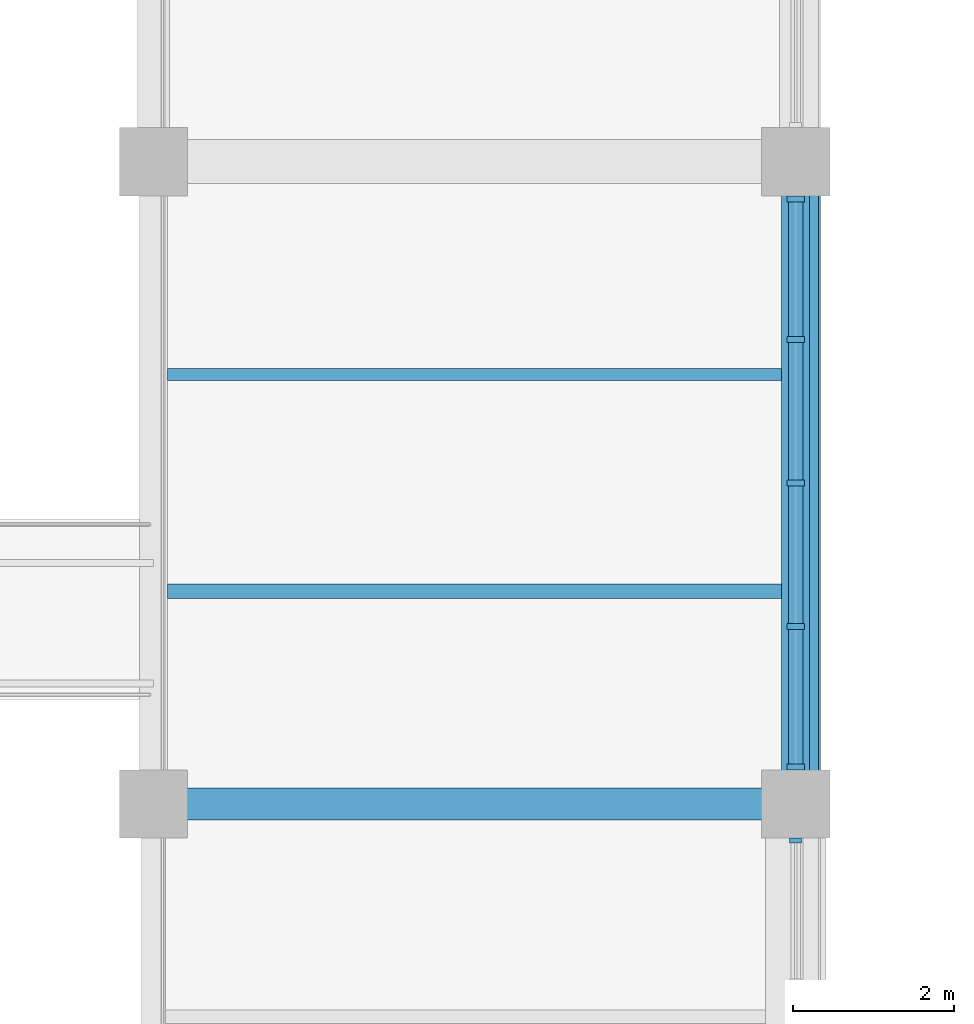
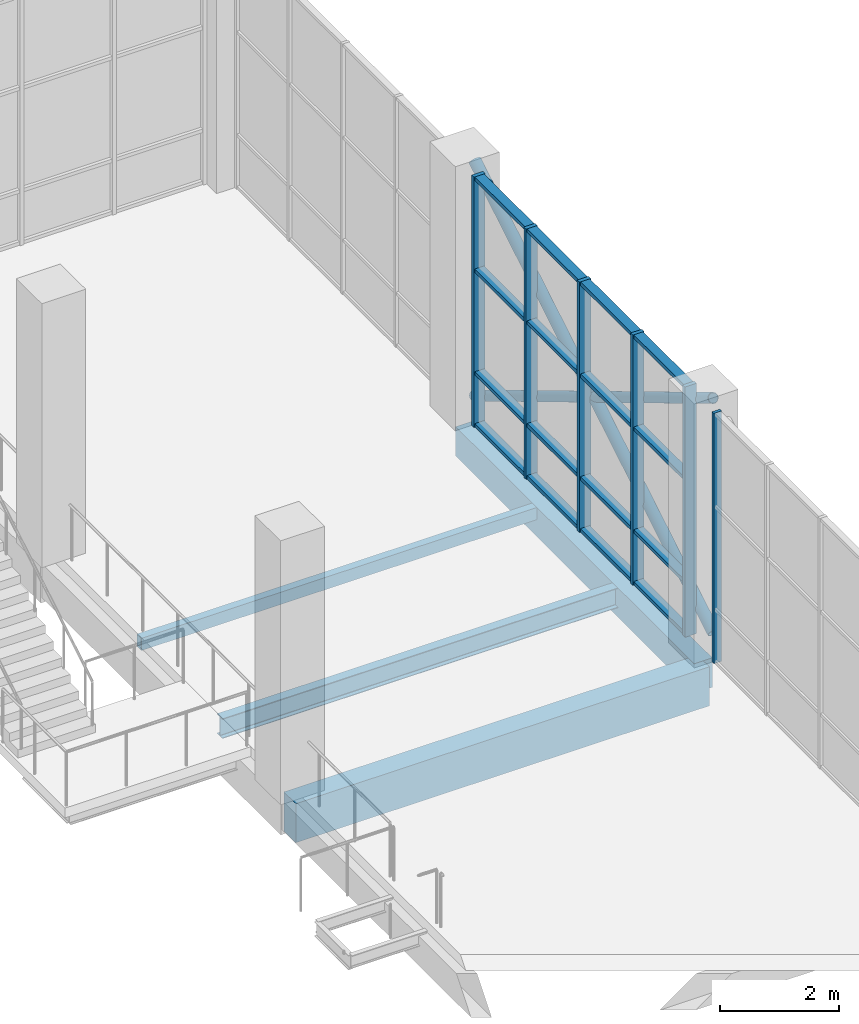
# One storey, part 56 of 122: 24 members, 4 beams, 2 elements without a shape of their own.
"""IFC4 building model written with IfcOpenShell, lengths in metres."""

from ifc_helpers import new_model, si_unit, direction, frame, origin, origin_2d, place, context, subcontext, project, spatial, rectangle, hollow_rectangle, hollow_circle, i_section, extrude, material, material_profile, profile_set, type_object, element, aggregate, save


model = new_model("IFC4")

# Units and contexts
model_context = context("Model", 3, precision=1e-05, world=origin(), true_north=direction((0.0, 1.0)))
body_context = subcontext(model_context, "Body", "Model", "MODEL_VIEW")
ifc_project = project(units=[si_unit("LENGTHUNIT", "METRE"), si_unit("AREAUNIT", "SQUARE_METRE"), si_unit("VOLUMEUNIT", "CUBIC_METRE"), si_unit("PLANEANGLEUNIT", "RADIAN"), si_unit("MASSUNIT", "GRAM", prefix="KILO")], contexts=[model_context])

# Site, building, storey
site_placement = place(None, origin())
site = spatial("IfcSite", under=ifc_project, at=site_placement, CompositionType="ELEMENT")
building_placement = place(site_placement, origin())
building = spatial("IfcBuilding", under=site, at=building_placement, Name="Tenunan Teduh Sports Hall", CompositionType="ELEMENT")
storey_placement = place(building_placement, frame((0.0, 0.0, 5.39990234375)))
storey = spatial("IfcBuildingStorey", under=building, at=storey_placement, Name="L01", CompositionType="ELEMENT", Elevation=5.39990234375)

# Beams
ifc_material_1 = material(Name="Concrete C40/50", Category="concrete")
ifc_material_profile_1 = material_profile(ifc_material_1, rectangle(XDim=0.35009765625, YDim=0.60009765625, at=origin_2d()), Name="RCB 350x600")
ifc_profile_set_1 = profile_set([ifc_material_profile_1], Name="Concrete C40/50")
beam_type_1 = type_object("IfcBeamType", Name="BM-RC-350x600", PredefinedType="BEAM", material=ifc_profile_set_1)
beam_1_placement = place(storey_placement, frame((154.0, 62.0, -0.559814453125), z_axis=(0.0, 1.0, 0.0), x_axis=(-1.0, 0.0, 0.0)))
element("IfcBeam", 1, at=beam_1_placement, inside=storey, type_object=beam_type_1, Name="BM-B-04-L01-1295", PredefinedType="BEAM", context=body_context, shape_type="SweptSolid", body=[
    extrude(rectangle(XDim=0.35009765625, YDim=0.60009765625, at=origin_2d()), origin(), (0.0, 0.0, 1.0), 8.0),
])
ifc_material_2 = material(Name="Concrete C40/50", Category="concrete")
ifc_material_profile_2 = material_profile(ifc_material_2, rectangle(XDim=0.39990234375, YDim=0.800048828125, at=origin_2d()), Name="RCB 400x800")
ifc_profile_set_2 = profile_set([ifc_material_profile_2], Name="Concrete C40/50")
beam_type_2 = type_object("IfcBeamType", Name="BM-RC-400x800", PredefinedType="BEAM", material=ifc_profile_set_2)
beam_2_placement = place(storey_placement, frame((146.0, 62.0, -0.659912109375), z_axis=(1.0, 0.0, 0.0), x_axis=(0.0, 1.0, 0.0)))
element("IfcBeam", 2, at=beam_2_placement, inside=storey, type_object=beam_type_2, Name="BM-B-10-L01-1093", PredefinedType="BEAM", context=body_context, shape_type="SweptSolid", body=[
    extrude(rectangle(XDim=0.39990234375, YDim=0.800048828125, at=origin_2d()), origin(), (0.0, 0.0, 1.0), 8.0),
])

# Curtain wall, member
ifc_material_3 = material(Name="Anodised aluminium", Category="aluminium")
curtain_wall_type = type_object("IfcCurtainWallType", Name="CW-UNIT-1", PredefinedType="NOTDEFINED", material=ifc_material_3)
curtain_wall_1_placement = place(storey_placement, origin())
curtain_wall_1 = element("IfcCurtainWall", 3, at=curtain_wall_1_placement, inside=storey, type_object=curtain_wall_type, Name="CW-CWM-150-L01-123", PredefinedType="NOTDEFINED")
ifc_material_4 = material(Name="Anodised aluminium", Category="aluminium")
ifc_material_profile_3 = material_profile(ifc_material_4, rectangle(XDim=0.06005859375, YDim=0.14990234375, at=origin_2d()), Name="CWM 60x150")
ifc_profile_set_3 = profile_set([ifc_material_profile_3], Name="Anodised aluminium")
member_type_1 = type_object("IfcMemberType", Name="CWM-150", PredefinedType="MULLION", material=ifc_profile_set_3)
member_1_placement = place(storey_placement, frame((154.0, 61.544921875, 0.0), z_axis=(0.0, 0.0, 1.0), x_axis=(0.0, 1.0, 0.0)))
member_1 = element("IfcMember", 4, at=member_1_placement, type_object=member_type_1, Name="CW-01 mullion 5", PredefinedType="MULLION", context=body_context, shape_type="SweptSolid", body=[
    extrude(rectangle(XDim=0.06005859375, YDim=0.14990234375, at=origin_2d()), origin(), (0.0, 0.0, 1.0), 5.1201171875),
])
aggregate(curtain_wall_1, [member_1])

# Curtain wall, members
curtain_wall_2_placement = place(storey_placement, origin())
curtain_wall_2 = element("IfcCurtainWall", 5, at=curtain_wall_2_placement, inside=storey, type_object=curtain_wall_type, Name="CW-CWM-220-L01-125", PredefinedType="NOTDEFINED")
ifc_material_5 = material(Name="Anodised aluminium", Category="aluminium")
ifc_material_profile_4 = material_profile(ifc_material_5, rectangle(XDim=0.074951171875, YDim=0.219970703125, at=origin_2d()), Name="CWM 75x220")
ifc_profile_set_4 = profile_set([ifc_material_profile_4], Name="Anodised aluminium")
member_type_2 = type_object("IfcMemberType", Name="CWM-220", PredefinedType="MULLION", material=ifc_profile_set_4)
member_2_placement = place(storey_placement, frame((154.0, 62.46240234375, 0.0), z_axis=(0.0, 0.0, 1.0), x_axis=(0.0, 1.0, 0.0)))
member_2 = element("IfcMember", 6, at=member_2_placement, type_object=member_type_2, Name="CW-01 mullion 1", PredefinedType="MULLION", context=body_context, shape_type="SweptSolid", body=[
    extrude(rectangle(XDim=0.074951171875, YDim=0.219970703125, at=origin_2d()), origin(), (0.0, 0.0, 1.0), 5.1201171875),
])
member_3_placement = place(storey_placement, frame((154.0, 64.21240234375, 0.0), z_axis=(0.0, 0.0, 1.0), x_axis=(0.0, 1.0, 0.0)))
member_3 = element("IfcMember", 7, at=member_3_placement, type_object=member_type_2, Name="CW-01 mullion 2", PredefinedType="MULLION", context=body_context, shape_type="SweptSolid", body=[
    extrude(rectangle(XDim=0.074951171875, YDim=0.219970703125, at=origin_2d()), origin(), (0.0, 0.0, 1.0), 5.1201171875),
])
member_4_placement = place(storey_placement, frame((154.0, 66.0, 0.0), z_axis=(0.0, 0.0, 1.0), x_axis=(0.0, 1.0, 0.0)))
member_4 = element("IfcMember", 8, at=member_4_placement, type_object=member_type_2, Name="CW-01 mullion 3", PredefinedType="MULLION", context=body_context, shape_type="SweptSolid", body=[
    extrude(rectangle(XDim=0.074951171875, YDim=0.219970703125, at=origin_2d()), origin(), (0.0, 0.0, 1.0), 5.1201171875),
])
member_5_placement = place(storey_placement, frame((154.0, 67.78759765625, 0.0), z_axis=(0.0, 0.0, 1.0), x_axis=(0.0, 1.0, 0.0)))
member_5 = element("IfcMember", 9, at=member_5_placement, type_object=member_type_2, Name="CW-01 mullion 4", PredefinedType="MULLION", context=body_context, shape_type="SweptSolid", body=[
    extrude(rectangle(XDim=0.074951171875, YDim=0.219970703125, at=origin_2d()), origin(), (0.0, 0.0, 1.0), 5.1201171875),
])
member_6_placement = place(storey_placement, frame((154.0, 69.53759765625, 0.0), z_axis=(0.0, 0.0, 1.0), x_axis=(0.0, 1.0, 0.0)))
member_6 = element("IfcMember", 10, at=member_6_placement, type_object=member_type_2, Name="CW-01 mullion 5", PredefinedType="MULLION", context=body_context, shape_type="SweptSolid", body=[
    extrude(rectangle(XDim=0.074951171875, YDim=0.219970703125, at=origin_2d()), origin(), (0.0, 0.0, 1.0), 5.1201171875),
])
ifc_material_6 = material(Name="Anodised aluminium", Category="aluminium")
ifc_material_profile_5 = material_profile(ifc_material_6, rectangle(XDim=0.074951171875, YDim=0.179931640625, at=origin_2d()), Name="CWT 75x180")
ifc_profile_set_5 = profile_set([ifc_material_profile_5], Name="Anodised aluminium")
member_type_3 = type_object("IfcMemberType", Name="CWT-180", PredefinedType="USERDEFINED", material=ifc_profile_set_5)
member_7_placement = place(storey_placement, frame((154.0, 62.5, 0.03759765625), z_axis=(0.0, 1.0, 0.0), x_axis=(0.0, 0.0, 1.0)))
member_7 = element("IfcMember", 11, at=member_7_placement, type_object=member_type_3, Name="CW-01 transom 1.1", ObjectType="TRANSOM", PredefinedType="USERDEFINED", context=body_context, shape_type="SweptSolid", body=[
    extrude(rectangle(XDim=0.074951171875, YDim=0.179931640625, at=origin_2d()), origin(), (0.0, 0.0, 1.0), 1.675048828125),
])
member_8_placement = place(storey_placement, frame((154.0, 62.5, 1.10009765625), z_axis=(0.0, 1.0, 0.0), x_axis=(0.0, 0.0, 1.0)))
member_8 = element("IfcMember", 12, at=member_8_placement, type_object=member_type_3, Name="CW-01 transom 1.2", ObjectType="TRANSOM", PredefinedType="USERDEFINED", context=body_context, shape_type="SweptSolid", body=[
    extrude(rectangle(XDim=0.074951171875, YDim=0.179931640625, at=origin_2d()), origin(), (0.0, 0.0, 1.0), 1.675048828125),
])
member_9_placement = place(storey_placement, frame((154.0, 62.5, 3.2001953125), z_axis=(0.0, 1.0, 0.0), x_axis=(0.0, 0.0, 1.0)))
member_9 = element("IfcMember", 13, at=member_9_placement, type_object=member_type_3, Name="CW-01 transom 1.3", ObjectType="TRANSOM", PredefinedType="USERDEFINED", context=body_context, shape_type="SweptSolid", body=[
    extrude(rectangle(XDim=0.074951171875, YDim=0.179931640625, at=origin_2d()), origin(), (0.0, 0.0, 1.0), 1.675048828125),
])
member_10_placement = place(storey_placement, frame((154.0, 62.5, 5.08251953125), z_axis=(0.0, 1.0, 0.0), x_axis=(0.0, 0.0, 1.0)))
member_10 = element("IfcMember", 14, at=member_10_placement, type_object=member_type_3, Name="CW-01 transom 1.4", ObjectType="TRANSOM", PredefinedType="USERDEFINED", context=body_context, shape_type="SweptSolid", body=[
    extrude(rectangle(XDim=0.074951171875, YDim=0.179931640625, at=origin_2d()), origin(), (0.0, 0.0, 1.0), 1.675048828125),
])
member_11_placement = place(storey_placement, frame((154.0, 64.25, 0.03759765625), z_axis=(0.0, 1.0, 0.0), x_axis=(0.0, 0.0, 1.0)))
member_11 = element("IfcMember", 15, at=member_11_placement, type_object=member_type_3, Name="CW-01 transom 2.1", ObjectType="TRANSOM", PredefinedType="USERDEFINED", context=body_context, shape_type="SweptSolid", body=[
    extrude(rectangle(XDim=0.074951171875, YDim=0.179931640625, at=origin_2d()), origin(), (0.0, 0.0, 1.0), 1.71240234375),
])
member_12_placement = place(storey_placement, frame((154.0, 64.25, 1.10009765625), z_axis=(0.0, 1.0, 0.0), x_axis=(0.0, 0.0, 1.0)))
member_12 = element("IfcMember", 16, at=member_12_placement, type_object=member_type_3, Name="CW-01 transom 2.2", ObjectType="TRANSOM", PredefinedType="USERDEFINED", context=body_context, shape_type="SweptSolid", body=[
    extrude(rectangle(XDim=0.074951171875, YDim=0.179931640625, at=origin_2d()), origin(), (0.0, 0.0, 1.0), 1.71240234375),
])
member_13_placement = place(storey_placement, frame((154.0, 64.25, 3.2001953125), z_axis=(0.0, 1.0, 0.0), x_axis=(0.0, 0.0, 1.0)))
member_13 = element("IfcMember", 17, at=member_13_placement, type_object=member_type_3, Name="CW-01 transom 2.3", ObjectType="TRANSOM", PredefinedType="USERDEFINED", context=body_context, shape_type="SweptSolid", body=[
    extrude(rectangle(XDim=0.074951171875, YDim=0.179931640625, at=origin_2d()), origin(), (0.0, 0.0, 1.0), 1.71240234375),
])
member_14_placement = place(storey_placement, frame((154.0, 64.25, 5.08251953125), z_axis=(0.0, 1.0, 0.0), x_axis=(0.0, 0.0, 1.0)))
member_14 = element("IfcMember", 18, at=member_14_placement, type_object=member_type_3, Name="CW-01 transom 2.4", ObjectType="TRANSOM", PredefinedType="USERDEFINED", context=body_context, shape_type="SweptSolid", body=[
    extrude(rectangle(XDim=0.074951171875, YDim=0.179931640625, at=origin_2d()), origin(), (0.0, 0.0, 1.0), 1.71240234375),
])
member_15_placement = place(storey_placement, frame((154.0, 66.03759765625, 0.03759765625), z_axis=(0.0, 1.0, 0.0), x_axis=(0.0, 0.0, 1.0)))
member_15 = element("IfcMember", 19, at=member_15_placement, type_object=member_type_3, Name="CW-01 transom 3.1", ObjectType="TRANSOM", PredefinedType="USERDEFINED", context=body_context, shape_type="SweptSolid", body=[
    extrude(rectangle(XDim=0.074951171875, YDim=0.179931640625, at=origin_2d()), origin(), (0.0, 0.0, 1.0), 1.71240234375),
])
member_16_placement = place(storey_placement, frame((154.0, 66.03759765625, 1.10009765625), z_axis=(0.0, 1.0, 0.0), x_axis=(0.0, 0.0, 1.0)))
member_16 = element("IfcMember", 20, at=member_16_placement, type_object=member_type_3, Name="CW-01 transom 3.2", ObjectType="TRANSOM", PredefinedType="USERDEFINED", context=body_context, shape_type="SweptSolid", body=[
    extrude(rectangle(XDim=0.074951171875, YDim=0.179931640625, at=origin_2d()), origin(), (0.0, 0.0, 1.0), 1.71240234375),
])
member_17_placement = place(storey_placement, frame((154.0, 66.03759765625, 3.2001953125), z_axis=(0.0, 1.0, 0.0), x_axis=(0.0, 0.0, 1.0)))
member_17 = element("IfcMember", 21, at=member_17_placement, type_object=member_type_3, Name="CW-01 transom 3.3", ObjectType="TRANSOM", PredefinedType="USERDEFINED", context=body_context, shape_type="SweptSolid", body=[
    extrude(rectangle(XDim=0.074951171875, YDim=0.179931640625, at=origin_2d()), origin(), (0.0, 0.0, 1.0), 1.71240234375),
])
member_18_placement = place(storey_placement, frame((154.0, 66.03759765625, 5.08251953125), z_axis=(0.0, 1.0, 0.0), x_axis=(0.0, 0.0, 1.0)))
member_18 = element("IfcMember", 22, at=member_18_placement, type_object=member_type_3, Name="CW-01 transom 3.4", ObjectType="TRANSOM", PredefinedType="USERDEFINED", context=body_context, shape_type="SweptSolid", body=[
    extrude(rectangle(XDim=0.074951171875, YDim=0.179931640625, at=origin_2d()), origin(), (0.0, 0.0, 1.0), 1.71240234375),
])
member_19_placement = place(storey_placement, frame((154.0, 67.824951171875, 0.03759765625), z_axis=(0.0, 1.0, 0.0), x_axis=(0.0, 0.0, 1.0)))
member_19 = element("IfcMember", 23, at=member_19_placement, type_object=member_type_3, Name="CW-01 transom 4.1", ObjectType="TRANSOM", PredefinedType="USERDEFINED", context=body_context, shape_type="SweptSolid", body=[
    extrude(rectangle(XDim=0.074951171875, YDim=0.179931640625, at=origin_2d()), origin(), (0.0, 0.0, 1.0), 1.675048828125),
])
member_20_placement = place(storey_placement, frame((154.0, 67.824951171875, 1.10009765625), z_axis=(0.0, 1.0, 0.0), x_axis=(0.0, 0.0, 1.0)))
member_20 = element("IfcMember", 24, at=member_20_placement, type_object=member_type_3, Name="CW-01 transom 4.2", ObjectType="TRANSOM", PredefinedType="USERDEFINED", context=body_context, shape_type="SweptSolid", body=[
    extrude(rectangle(XDim=0.074951171875, YDim=0.179931640625, at=origin_2d()), origin(), (0.0, 0.0, 1.0), 1.675048828125),
])
member_21_placement = place(storey_placement, frame((154.0, 67.824951171875, 3.2001953125), z_axis=(0.0, 1.0, 0.0), x_axis=(0.0, 0.0, 1.0)))
member_21 = element("IfcMember", 25, at=member_21_placement, type_object=member_type_3, Name="CW-01 transom 4.3", ObjectType="TRANSOM", PredefinedType="USERDEFINED", context=body_context, shape_type="SweptSolid", body=[
    extrude(rectangle(XDim=0.074951171875, YDim=0.179931640625, at=origin_2d()), origin(), (0.0, 0.0, 1.0), 1.675048828125),
])
member_22_placement = place(storey_placement, frame((154.0, 67.824951171875, 5.08251953125), z_axis=(0.0, 1.0, 0.0), x_axis=(0.0, 0.0, 1.0)))
member_22 = element("IfcMember", 26, at=member_22_placement, type_object=member_type_3, Name="CW-01 transom 4.4", ObjectType="TRANSOM", PredefinedType="USERDEFINED", context=body_context, shape_type="SweptSolid", body=[
    extrude(rectangle(XDim=0.074951171875, YDim=0.179931640625, at=origin_2d()), origin(), (0.0, 0.0, 1.0), 1.675048828125),
])
aggregate(curtain_wall_2, [member_2, member_3, member_4, member_5, member_6, member_7, member_8, member_9, member_10, member_11, member_12, member_13, member_14, member_15, member_16, member_17, member_18, member_19, member_20, member_21, member_22])

# Members
ifc_material_7 = material(Name="Steel S355", Category="steel")
ifc_material_profile_6 = material_profile(ifc_material_7, hollow_circle(Radius=0.096923828125, WallThickness=0.008056640625, at=origin_2d()), Name="CHS 193.7x8.0")
ifc_profile_set_6 = profile_set([ifc_material_profile_6], Name="Steel S355")
member_type_4 = type_object("IfcMemberType", Name="MEM-BR-CHS194", PredefinedType="BRACE", material=ifc_profile_set_6)
member_23_placement = place(storey_placement, frame((154.18994140625, 70.0, 0.25), z_axis=(0.0, -0.857490616715, 0.514499603737), x_axis=(1.0, 0.0, 0.0)))
element("IfcMember", 27, at=member_23_placement, inside=storey, type_object=member_type_4, Name="MEM-GD-03-L01-1073", PredefinedType="BRACE", context=body_context, shape_type="SweptSolid", body=[
    extrude(hollow_circle(Radius=0.096923828125, WallThickness=0.008056640625, at=origin_2d()), origin(), (0.0, 0.0, 1.0), 9.32958984375),
])
ifc_material_8 = material(Name="Steel S355", Category="steel")
ifc_material_profile_7 = material_profile(ifc_material_8, hollow_circle(Radius=0.109619140625, WallThickness=0.010009765625, at=origin_2d()), Name="CHS 219.1x10.0")
ifc_profile_set_7 = profile_set([ifc_material_profile_7], Name="Steel S355")
member_type_5 = type_object("IfcMemberType", Name="MEM-BR-CHS219", PredefinedType="BRACE", material=ifc_profile_set_7)
member_24_placement = place(storey_placement, frame((154.199951171875, 62.0, 0.25), z_axis=(0.0, 0.857490616715, 0.514499603737), x_axis=(-1.0, 0.0, 0.0)))
element("IfcMember", 28, at=member_24_placement, inside=storey, type_object=member_type_5, Name="MEM-GD-02-L01-1072", PredefinedType="BRACE", context=body_context, shape_type="SweptSolid", body=[
    extrude(hollow_circle(Radius=0.109619140625, WallThickness=0.010009765625, at=origin_2d()), origin(), (0.0, 0.0, 1.0), 9.32958984375),
])

# Beams
ifc_material_9 = material(Name="Steel S355", Category="steel")
ifc_material_profile_8 = material_profile(ifc_material_9, hollow_rectangle(XDim=0.14990234375, YDim=0.25, WallThickness=0.010009765625, at=origin_2d()), Name="RHS 250x150x10.0")
ifc_profile_set_8 = profile_set([ifc_material_profile_8], Name="Steel S355")
beam_type_3 = type_object("IfcBeamType", Name="RBM-RHS250", PredefinedType="BEAM", material=ifc_profile_set_8)
beam_3_placement = place(storey_placement, frame((146.175048828125, 67.35009765625, -0.385009765625), z_axis=(1.0, 0.0, 0.0), x_axis=(0.0, 1.0, 0.0)))
element("IfcBeam", 29, at=beam_3_placement, inside=storey, type_object=beam_type_3, Name="Perimeter Ring Beam BM-RB-04-L01-1439", PredefinedType="BEAM", context=body_context, shape_type="SweptSolid", body=[
    extrude(hollow_rectangle(XDim=0.14990234375, YDim=0.25, WallThickness=0.010009765625, at=origin_2d()), origin(), (0.0, 0.0, 1.0), 7.64990234375),
])
ifc_material_10 = material(Name="Steel S355", Category="steel")
ifc_material_profile_9 = material_profile(ifc_material_10, i_section(OverallWidth=0.177978515625, OverallDepth=0.406494140625, WebThickness=0.0078125, FlangeThickness=0.0126953125, FilletRadius=0.01025390625, at=origin_2d()), Name="UKB 406x178x60")
ifc_profile_set_9 = profile_set([ifc_material_profile_9], Name="Steel S355")
beam_type_4 = type_object("IfcBeamType", Name="SBM-UKB406", PredefinedType="BEAM", material=ifc_profile_set_9)
beam_4_placement = place(storey_placement, frame((146.175048828125, 64.64990234375, -0.463134765625), z_axis=(1.0, 0.0, 0.0), x_axis=(0.0, 1.0, 0.0)))
element("IfcBeam", 30, at=beam_4_placement, inside=storey, type_object=beam_type_4, Name="BM-SB-03-L01-1438", PredefinedType="BEAM", context=body_context, shape_type="SweptSolid", body=[
    extrude(i_section(OverallWidth=0.177978515625, OverallDepth=0.406494140625, WebThickness=0.0078125, FlangeThickness=0.0126953125, FilletRadius=0.01025390625, at=origin_2d()), origin(), (0.0, 0.0, 1.0), 7.64990234375),
])

save(model, "model.ifc")
